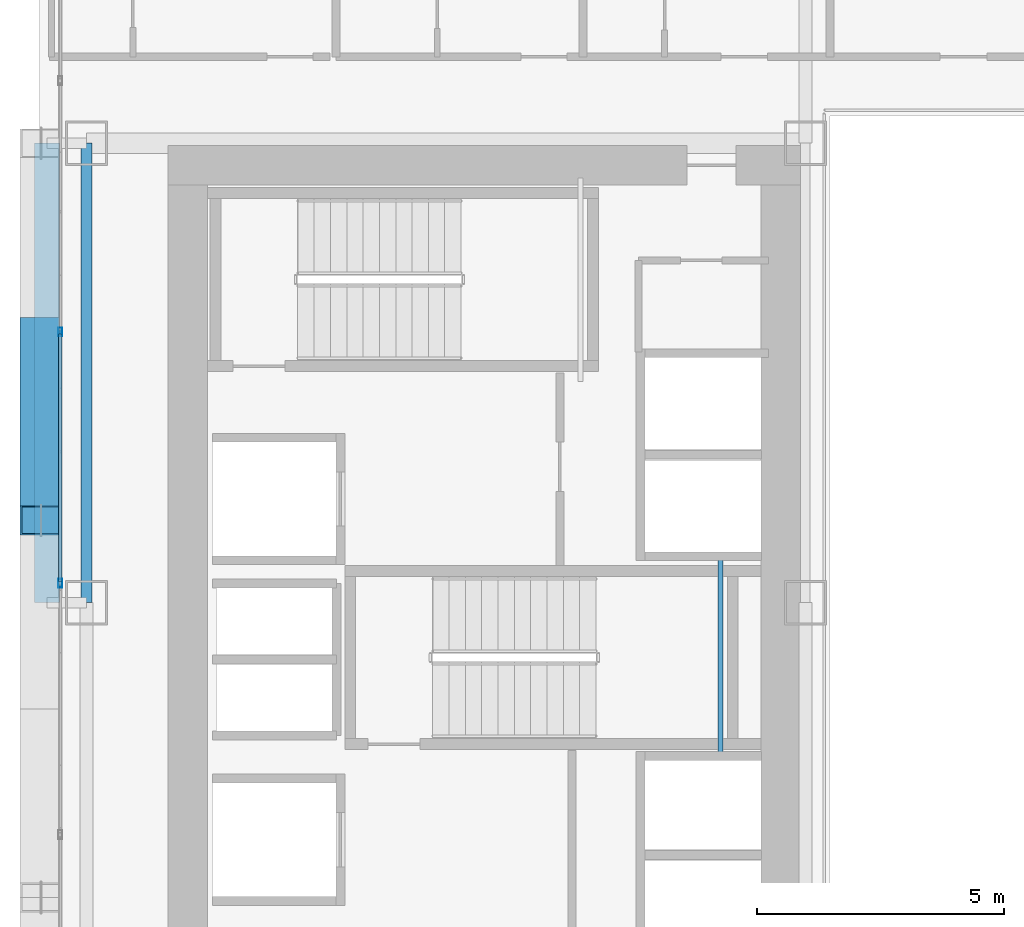
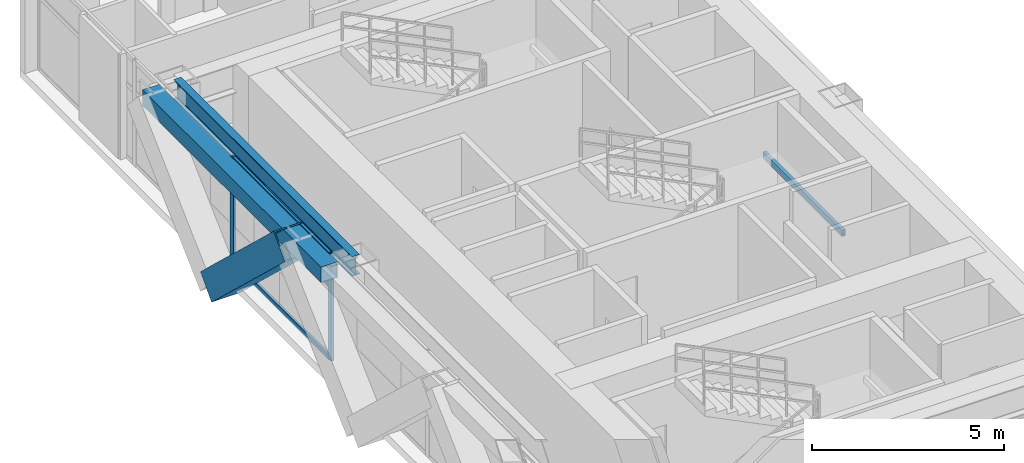
# One storey, part 8 of 38: 6 members, 3 beams, 1 element without a shape of its own.
"""IFC4 building model written with IfcOpenShell, lengths in metres."""

from ifc_helpers import new_model, si_unit, direction, frame, origin, origin_2d, place, context, subcontext, project, spatial, hollow_rectangle, i_section, extrude, source, transform, mapped, material, layer, layer_set, material_profile, profile_set, type_object, element, aggregate, save


model = new_model("IFC4")

# Units and contexts
model_context = context("Model", 3, precision=1e-05, world=origin(), true_north=direction((0.0, 1.0)))
body_context = subcontext(model_context, "Body", "Model", "MODEL_VIEW")
ifc_project = project(units=[si_unit("LENGTHUNIT", "METRE"), si_unit("AREAUNIT", "SQUARE_METRE"), si_unit("VOLUMEUNIT", "CUBIC_METRE"), si_unit("PLANEANGLEUNIT", "RADIAN"), si_unit("MASSUNIT", "GRAM", prefix="KILO")], contexts=[model_context])

# Site, building, storey
site_placement = place(None, origin())
site = spatial("IfcSite", under=ifc_project, at=site_placement, CompositionType="ELEMENT")
building_placement = place(site_placement, origin())
building = spatial("IfcBuilding", under=site, at=building_placement, Name="Ocotamira Hotel", CompositionType="ELEMENT")
storey_placement = place(building_placement, frame((0.0, 0.0, 74.39990234375)))
storey = spatial("IfcBuildingStorey", under=building, at=storey_placement, Name="L18", CompositionType="ELEMENT", Elevation=74.39990234375)

# Beams
ifc_material_1 = material(Name="Steel ASTM A500 Grade C", Category="steel")
ifc_material_profile_1 = material_profile(ifc_material_1, hollow_rectangle(XDim=0.10009765625, YDim=0.199951171875, WallThickness=0.008056640625, at=origin_2d()), Name="HSS200X100X8")
ifc_profile_set_1 = profile_set([ifc_material_profile_1], Name="Steel ASTM A500 Grade C")
beam_type_1 = type_object("IfcBeamType", Name="BM-STLDG-HSS200", PredefinedType="BEAM", material=ifc_profile_set_1)
shared_shape_1 = source(origin(), body_context, "Body", "SweptSolid", [
    extrude(hollow_rectangle(XDim=0.10009765625, YDim=0.199951171875, WallThickness=0.008056640625, at=origin_2d()), origin(), (0.0, 0.0, 1.0), 4.1201171875),
])
beam_1_placement = place(storey_placement, frame((21.780029296875, 24.97998046875, 1.5), z_axis=(0.0, 1.0, 0.0), x_axis=(-1.0, 0.0, 0.0)))
element("IfcBeam", 1, at=beam_1_placement, inside=storey, type_object=beam_type_1, Name="L18 Stair ST-3 Landing Bearer 1", PredefinedType="BEAM", context=body_context, shape_type="MappedRepresentation", body=[
    mapped(shared_shape_1, transform((0.0, 0.0, 0.0), scale=1.0)),
])
ifc_material_2 = material(Name="Steel ASTM A992 Grade 50", Category="steel")
ifc_material_profile_2 = material_profile(ifc_material_2, i_section(OverallWidth=0.22998046875, OverallDepth=0.616943359375, WebThickness=0.01318359375, FlangeThickness=0.022216796875, FilletRadius=0.012939453125, at=origin_2d()), Name="W24X94")
ifc_profile_set_2 = profile_set([ifc_material_profile_2], Name="Steel ASTM A992 Grade 50")
beam_type_2 = type_object("IfcBeamType", Name="BM-PRIM-W24X94", PredefinedType="BEAM", material=ifc_profile_set_2)
shared_shape_2 = source(origin(), body_context, "Body", "SweptSolid", [
    extrude(i_section(OverallWidth=0.22998046875, OverallDepth=0.616943359375, WebThickness=0.01318359375, FlangeThickness=0.022216796875, FilletRadius=0.012939453125, at=origin_2d()), origin(), (0.0, 0.0, 1.0), 9.300048828125),
])
beam_2_placement = place(storey_placement, frame((8.949951171875, 28.14990234375, 3.04150390625), z_axis=(0.0, 1.0, 0.0), x_axis=(-1.0, 0.0, 0.0)))
element("IfcBeam", 2, at=beam_2_placement, inside=storey, type_object=beam_type_2, Name="L18 Beam X8.95 Y28.15-37.45", PredefinedType="BEAM", context=body_context, shape_type="MappedRepresentation", body=[
    mapped(shared_shape_2, transform((0.0, 0.0, 0.0), scale=1.0)),
])
ifc_material_profile_3 = material_profile(ifc_material_1, hollow_rectangle(XDim=0.5, YDim=0.5, WallThickness=0.02001953125, at=origin_2d()), Name="HSS500X500X20")
ifc_profile_set_3 = profile_set([ifc_material_profile_3], Name="Steel ASTM A500 Grade C")
beam_type_3 = type_object("IfcBeamType", Name="BM-SPAN-HSS500", PredefinedType="USERDEFINED", material=ifc_profile_set_3)
shared_shape_3 = source(origin(), body_context, "Body", "SweptSolid", [
    extrude(hollow_rectangle(XDim=0.5, YDim=0.5, WallThickness=0.02001953125, at=origin_2d()), origin(), (0.0, 0.0, 1.0), 9.300048828125),
])
beam_3_placement = place(storey_placement, frame((8.14990234375, 28.14990234375, 3.10009765625), z_axis=(0.0, 1.0, 0.0), x_axis=(-1.0, 0.0, 0.0)))
element("IfcBeam", 3, at=beam_3_placement, inside=storey, type_object=beam_type_3, Name="L18 Edge Spandrel W Y28.15-37.45", ObjectType="SPANDREL", PredefinedType="USERDEFINED", context=body_context, shape_type="MappedRepresentation", body=[
    mapped(shared_shape_3, transform((0.0, 0.0, 0.0), scale=1.0)),
])

# Member
ifc_material_3 = material(Name="Pale-metal coated steel ASTM A913 Grade 65", Category="steel")
ifc_material_profile_4 = material_profile(ifc_material_3, hollow_rectangle(XDim=0.85009765625, YDim=0.85009765625, WallThickness=0.035888671875, at=origin_2d()), Name="BOX850X850X36")
ifc_profile_set_4 = profile_set([ifc_material_profile_4], Name="Pale-metal coated steel ASTM A913 Grade 65")
member_type_1 = type_object("IfcMemberType", Name="MEM-EXO-BOX850", PredefinedType="BRACE", material=ifc_profile_set_4)
shared_shape_4 = source(origin(), body_context, "Body", "SweptSolid", [
    extrude(hollow_rectangle(XDim=0.85009765625, YDim=0.85009765625, WallThickness=0.035888671875, at=origin_2d()), origin(), (0.0, 0.0, 1.0), 5.24658203125),
])
member_1_placement = place(storey_placement, frame((8.030029296875, 33.63330078125, -0.5), z_axis=(0.0, -0.727442733726, 0.686168397078), x_axis=(1.0, 0.0, 0.0)))
element("IfcMember", 4, at=member_1_placement, inside=storey, type_object=member_type_1, Name="L18 Exoskeleton Diagrid W2.1", PredefinedType="BRACE", context=body_context, shape_type="MappedRepresentation", body=[
    mapped(shared_shape_4, transform((0.0, 0.0, 0.0), scale=1.0)),
])

# Curtain wall, members
ifc_material_4 = material(Name="Anodised pale-metal aluminium and solar glass", Category="aluminium")
ifc_layer = layer(ifc_material_4, 0.179931640625)
ifc_layer_set = layer_set([ifc_layer], Name="Anodised pale-metal aluminium and solar glass")
curtain_wall_type = type_object("IfcCurtainWallType", Name="CW-SYS2-Z1", PredefinedType="NOTDEFINED", material=ifc_layer_set)
curtain_wall_placement = place(storey_placement, origin())
curtain_wall = element("IfcCurtainWall", 5, at=curtain_wall_placement, inside=storey, type_object=curtain_wall_type, Name="L18 Curtain Wall CW-2 CW-L18-W", PredefinedType="NOTDEFINED")
ifc_material_5 = material(Name="Anodised pale-metal aluminium 6063-T6", Category="aluminium")
ifc_material_profile_5 = material_profile(ifc_material_5, hollow_rectangle(XDim=0.074951171875, YDim=0.14990234375, WallThickness=0.006103515625, at=origin_2d()), Name="HSS150X75X6")
ifc_profile_set_5 = profile_set([ifc_material_profile_5], Name="Anodised pale-metal aluminium 6063-T6")
member_type_2 = type_object("IfcMemberType", Name="CWT-150X75", PredefinedType="USERDEFINED", material=ifc_profile_set_5)
shared_shape_5 = source(origin(), body_context, "Body", "SweptSolid", [
    extrude(hollow_rectangle(XDim=0.074951171875, YDim=0.14990234375, WallThickness=0.006103515625, at=origin_2d()), origin(), (0.0, 0.0, 1.0), 5.005859375),
])
member_2_placement = place(storey_placement, frame((8.419921875, 28.582763671875, 0.03759765625), z_axis=(0.0, 1.0, 0.0), x_axis=(-1.0, 0.0, 0.0)))
member_2 = element("IfcMember", 6, at=member_2_placement, type_object=member_type_2, Name="CW-2 transom 5.1", ObjectType="TRANSOM", PredefinedType="USERDEFINED", context=body_context, shape_type="MappedRepresentation", body=[
    mapped(shared_shape_5, transform((0.0, 0.0, 0.0), scale=1.0)),
])
member_3_placement = place(storey_placement, frame((8.419921875, 28.582763671875, 2.35009765625), z_axis=(0.0, 1.0, 0.0), x_axis=(-1.0, 0.0, 0.0)))
member_3 = element("IfcMember", 7, at=member_3_placement, type_object=member_type_2, Name="CW-2 transom 5.2", ObjectType="TRANSOM", PredefinedType="USERDEFINED", context=body_context, shape_type="MappedRepresentation", body=[
    mapped(shared_shape_5, transform((0.0, 0.0, 0.0), scale=1.0)),
])
member_4_placement = place(storey_placement, frame((8.419921875, 28.582763671875, 3.3125), z_axis=(0.0, 1.0, 0.0), x_axis=(-1.0, 0.0, 0.0)))
member_4 = element("IfcMember", 8, at=member_4_placement, type_object=member_type_2, Name="CW-2 transom 5.3", ObjectType="TRANSOM", PredefinedType="USERDEFINED", context=body_context, shape_type="MappedRepresentation", body=[
    mapped(shared_shape_5, transform((0.0, 0.0, 0.0), scale=1.0)),
])
ifc_material_profile_6 = material_profile(ifc_material_5, hollow_rectangle(XDim=0.080078125, YDim=0.179931640625, WallThickness=0.006103515625, at=origin_2d()), Name="HSS180X80X6")
ifc_profile_set_6 = profile_set([ifc_material_profile_6], Name="Anodised pale-metal aluminium 6063-T6")
member_type_3 = type_object("IfcMemberType", Name="CWM-180X75", PredefinedType="MULLION", material=ifc_profile_set_6)
shared_shape_6 = source(origin(), body_context, "Body", "SweptSolid", [
    extrude(hollow_rectangle(XDim=0.080078125, YDim=0.179931640625, WallThickness=0.006103515625, at=origin_2d()), origin(), (0.0, 0.0, 1.0), 3.35009765625),
])
member_5_placement = place(storey_placement, frame((8.419921875, 28.54296875, 0.0), z_axis=(0.0, 0.0, 1.0), x_axis=(-1.0, 0.0, 0.0)))
member_5 = element("IfcMember", 9, at=member_5_placement, type_object=member_type_3, Name="CW-2 mullion 5", PredefinedType="MULLION", context=body_context, shape_type="MappedRepresentation", body=[
    mapped(shared_shape_6, transform((0.0, 0.0, 0.0), scale=1.0)),
])
member_6_placement = place(storey_placement, frame((8.419921875, 33.628662109375, 0.0), z_axis=(0.0, 0.0, 1.0), x_axis=(-1.0, 0.0, 0.0)))
member_6 = element("IfcMember", 10, at=member_6_placement, type_object=member_type_3, Name="CW-2 mullion 6", PredefinedType="MULLION", context=body_context, shape_type="MappedRepresentation", body=[
    mapped(shared_shape_6, transform((0.0, 0.0, 0.0), scale=1.0)),
])
aggregate(curtain_wall, [member_5, member_6, member_2, member_3, member_4])

save(model, "model.ifc")
